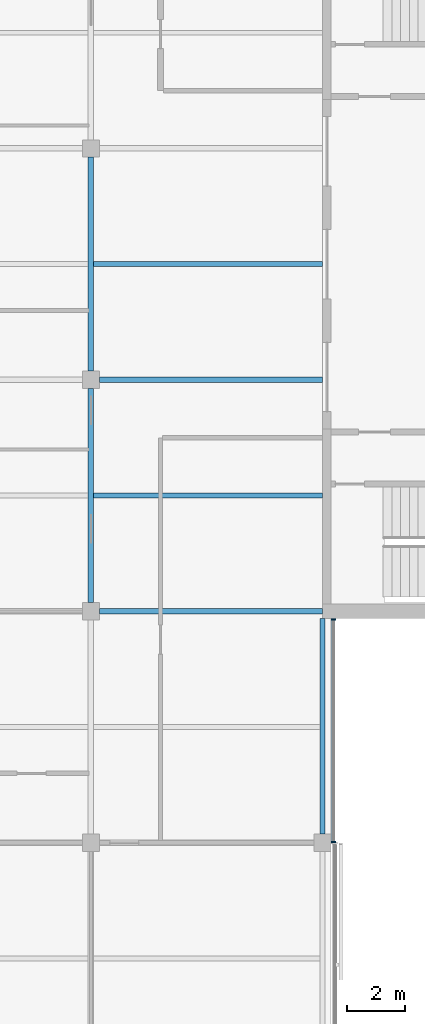
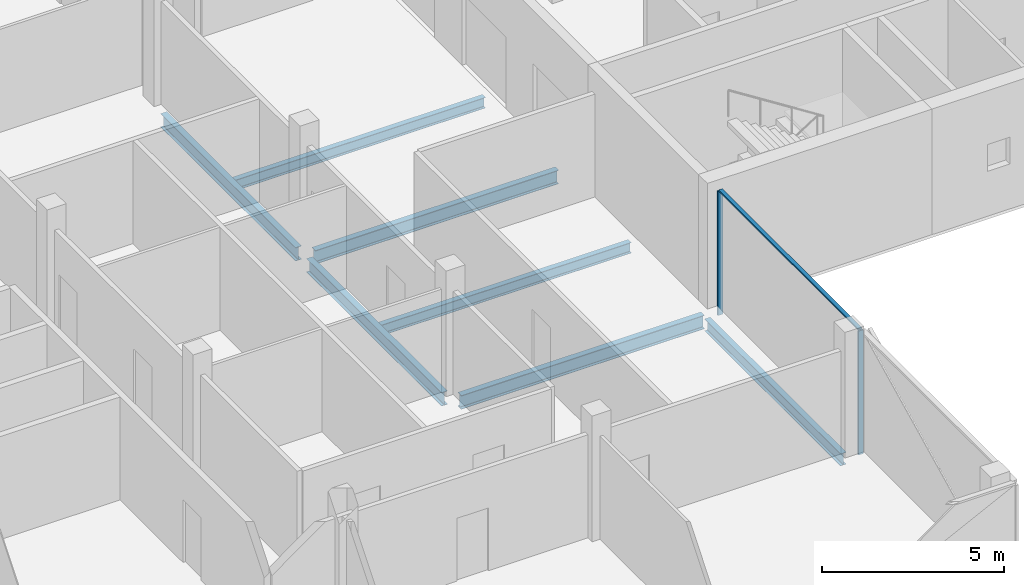
# One storey, part 4 of 16: 7 beams, 3 members, 1 element without a shape of its own.
"""IFC4 building model written with IfcOpenShell, lengths in metres."""

from ifc_helpers import new_model, si_unit, direction, frame, origin, origin_2d, place, context, subcontext, project, spatial, rectangle, i_section, extrude, material, material_profile, profile_set, type_object, element, aggregate, save


model = new_model("IFC4")

# Units and contexts
model_context = context("Model", 3, precision=1e-05, world=origin(), true_north=direction((0.0, 1.0)))
body_context = subcontext(model_context, "Body", "Model", "MODEL_VIEW")
ifc_project = project(units=[si_unit("LENGTHUNIT", "METRE"), si_unit("AREAUNIT", "SQUARE_METRE"), si_unit("VOLUMEUNIT", "CUBIC_METRE"), si_unit("PLANEANGLEUNIT", "RADIAN"), si_unit("MASSUNIT", "GRAM", prefix="KILO")], contexts=[model_context])

# Site, building, storey
site_placement = place(None, origin())
site = spatial("IfcSite", under=ifc_project, at=site_placement, CompositionType="ELEMENT")
building_placement = place(site_placement, origin())
building = spatial("IfcBuilding", under=site, at=building_placement, Name="Crosswind Convention Tower", CompositionType="ELEMENT")
storey_placement = place(building_placement, frame((0.0, 0.0, 336.5)))
storey = spatial("IfcBuildingStorey", under=building, at=storey_placement, Name="L73", CompositionType="ELEMENT", Elevation=336.5)

# Beams
ifc_material_1 = material(Name="Steel S355", Category="steel")
ifc_material_profile_1 = material_profile(ifc_material_1, i_section(OverallWidth=0.177734375, OverallDepth=0.406494140625, WebThickness=0.0078125, FlangeThickness=0.0126953125, FilletRadius=0.01025390625, at=origin_2d()), Name="UB 406x178x60")
ifc_profile_set_1 = profile_set([ifc_material_profile_1], Name="Steel S355")
beam_type_1 = type_object("IfcBeamType", Name="Edge beam UB 406x178x60", PredefinedType="SPANDREL", material=ifc_profile_set_1)
beam_placement = place(storey_placement, frame((137.0, 80.300048828125, -0.503173828125), z_axis=(0.0, 1.0, 0.0), x_axis=(-1.0, 0.0, 0.0)))
element("IfcBeam", 1, at=beam_placement, inside=storey, type_object=beam_type_1, Name="B15 L73 edge beam 12", PredefinedType="SPANDREL", context=body_context, shape_type="SweptSolid", body=[
    extrude(i_section(OverallWidth=0.177734375, OverallDepth=0.406494140625, WebThickness=0.0078125, FlangeThickness=0.0126953125, FilletRadius=0.01025390625, at=origin_2d()), origin(), (0.0, 0.0, 1.0), 7.449951171875),
])
ifc_material_profile_2 = material_profile(ifc_material_1, i_section(OverallWidth=0.18994140625, OverallDepth=0.45361328125, WebThickness=0.008544921875, FlangeThickness=0.0126953125, FilletRadius=0.01025390625, at=origin_2d()), Name="UB 457x191x67")
ifc_profile_set_2 = profile_set([ifc_material_profile_2], Name="Steel S355")
beam_type_2 = type_object("IfcBeamType", Name="Girder UB 457x191x67", PredefinedType="BEAM", material=ifc_profile_set_2)
for number, where, z_axis, x_axis, name in (
    (2, (129.0, 88.300048828125, -0.52685546875), (0.0, 1.0, 0.0), (-1.0, 0.0, 0.0), "B1 L73 girder 18"),
    (3, (129.0, 96.300048828125, -0.52685546875), (0.0, 1.0, 0.0), (-1.0, 0.0, 0.0), "B1 L73 girder 19"),
):
    element("IfcBeam", number, at=place(storey_placement, frame(where, z_axis=z_axis, x_axis=x_axis)), inside=storey, type_object=beam_type_2, Name=name, PredefinedType="BEAM", context=body_context, shape_type="SweptSolid", body=[
        extrude(i_section(OverallWidth=0.18994140625, OverallDepth=0.45361328125, WebThickness=0.008544921875, FlangeThickness=0.0126953125, FilletRadius=0.01025390625, at=origin_2d()), origin(), (0.0, 0.0, 1.0), 7.39990234375),
    ])
ifc_material_profile_3 = material_profile(ifc_material_1, i_section(OverallWidth=0.1904296875, OverallDepth=0.457275390625, WebThickness=0.009033203125, FlangeThickness=0.014404296875, FilletRadius=0.01025390625, at=origin_2d()), Name="UB 457x191x75")
ifc_profile_set_3 = profile_set([ifc_material_profile_3], Name="Steel S355")
beam_type_3 = type_object("IfcBeamType", Name="Girder at core wall UB 457x191x75", PredefinedType="BEAM", material=ifc_profile_set_3)
for number, where, z_axis, x_axis, name in (
    (4, (129.300048828125, 88.0, -0.528564453125), (1.0, 0.0, 0.0), (0.0, 1.0, 0.0), "B22 L73 girder at core wall 5"),
    (5, (129.300048828125, 96.0, -0.528564453125), (1.0, 0.0, 0.0), (0.0, 1.0, 0.0), "B22 L73 girder at core wall 6"),
):
    element("IfcBeam", number, at=place(storey_placement, frame(where, z_axis=z_axis, x_axis=x_axis)), inside=storey, type_object=beam_type_3, Name=name, PredefinedType="BEAM", context=body_context, shape_type="SweptSolid", body=[
        extrude(i_section(OverallWidth=0.1904296875, OverallDepth=0.457275390625, WebThickness=0.009033203125, FlangeThickness=0.014404296875, FilletRadius=0.01025390625, at=origin_2d()), origin(), (0.0, 0.0, 1.0), 7.699951171875),
    ])

# Curtain wall, members
ifc_material_2 = material(Name="Aluminium unitised curtain wall", Category="aluminium")
curtain_wall_type = type_object("IfcCurtainWallType", Name="CORE END SLOT WALL 160", PredefinedType="USERDEFINED", material=ifc_material_2)
curtain_wall_placement = place(storey_placement, origin())
curtain_wall = element("IfcCurtainWall", 6, at=curtain_wall_placement, inside=storey, type_object=curtain_wall_type, Name="CW6 L73 S-E.1-2 slot", ObjectType="UNITISED", PredefinedType="USERDEFINED")
ifc_material_3 = material(Name="Aluminium mullion", Category="aluminium")
ifc_material_profile_4 = material_profile(ifc_material_3, rectangle(XDim=0.159912109375, YDim=0.050048828125, at=origin_2d()), Name="AL 160X50")
ifc_profile_set_4 = profile_set([ifc_material_profile_4], Name="Aluminium mullion")
member_type_1 = type_object("IfcMemberType", Name="MULLION 50X160", PredefinedType="MULLION", material=ifc_profile_set_4)
member_1_placement = place(storey_placement, frame((137.3798828125, 80.02490234375, -0.300048828125), z_axis=(0.0, 0.0, 1.0), x_axis=(1.0, 0.0, 0.0)))
member_1 = element("IfcMember", 7, at=member_1_placement, type_object=member_type_1, Name="CW6 mullion 1", PredefinedType="MULLION", context=body_context, shape_type="SweptSolid", body=[
    extrude(rectangle(XDim=0.159912109375, YDim=0.050048828125, at=origin_2d()), origin(), (0.0, 0.0, 1.0), 4.150146484375),
])
member_2_placement = place(storey_placement, frame((137.3798828125, 87.72509765625, -0.300048828125), z_axis=(0.0, 0.0, 1.0), x_axis=(1.0, 0.0, 0.0)))
member_2 = element("IfcMember", 8, at=member_2_placement, type_object=member_type_1, Name="CW6 mullion 2", PredefinedType="MULLION", context=body_context, shape_type="SweptSolid", body=[
    extrude(rectangle(XDim=0.159912109375, YDim=0.050048828125, at=origin_2d()), origin(), (0.0, 0.0, 1.0), 4.150146484375),
])

# Beams
ifc_material_profile_5 = material_profile(ifc_material_1, i_section(OverallWidth=0.17138671875, OverallDepth=0.355712890625, WebThickness=0.00732421875, FlangeThickness=0.011474609375, FilletRadius=0.01025390625, at=origin_2d()), Name="UB 356x171x51")
ifc_profile_set_5 = profile_set([ifc_material_profile_5], Name="Steel S355")
beam_type_4 = type_object("IfcBeamType", Name="Secondary beam UB 356x171x51", PredefinedType="JOIST", material=ifc_profile_set_5)
for number, where, z_axis, x_axis, name in (
    (9, (129.094970703125, 92.0, -0.477783203125), (1.0, 0.0, 0.0), (0.0, 1.0, 0.0), "B8 L73 secondary beam 17"),
    (10, (129.094970703125, 100.0, -0.477783203125), (1.0, 0.0, 0.0), (0.0, 1.0, 0.0), "B8 L73 secondary beam 18"),
):
    element("IfcBeam", number, at=place(storey_placement, frame(where, z_axis=z_axis, x_axis=x_axis)), inside=storey, type_object=beam_type_4, Name=name, PredefinedType="JOIST", context=body_context, shape_type="SweptSolid", body=[
        extrude(i_section(OverallWidth=0.17138671875, OverallDepth=0.355712890625, WebThickness=0.00732421875, FlangeThickness=0.011474609375, FilletRadius=0.01025390625, at=origin_2d()), origin(), (0.0, 0.0, 1.0), 7.905029296875),
    ])

# Member
ifc_material_4 = material(Name="Aluminium transom", Category="aluminium")
ifc_material_profile_6 = material_profile(ifc_material_4, rectangle(XDim=0.1201171875, YDim=0.050048828125, at=origin_2d()), Name="AL 120X50")
ifc_profile_set_6 = profile_set([ifc_material_profile_6], Name="Aluminium transom")
member_type_2 = type_object("IfcMemberType", Name="TRANSOM 50X120", PredefinedType="USERDEFINED", material=ifc_profile_set_6)
member_3_placement = place(storey_placement, frame((137.3798828125, 80.050048828125, 3.875), z_axis=(0.0, 1.0, 0.0), x_axis=(-1.0, 0.0, 0.0)))
member_3 = element("IfcMember", 11, at=member_3_placement, type_object=member_type_2, Name="CW6 transom", ObjectType="TRANSOM", PredefinedType="USERDEFINED", context=body_context, shape_type="SweptSolid", body=[
    extrude(rectangle(XDim=0.1201171875, YDim=0.050048828125, at=origin_2d()), origin(), (0.0, 0.0, 1.0), 7.64990234375),
])

aggregate(curtain_wall, [member_1, member_2, member_3])

save(model, "model.ifc")
